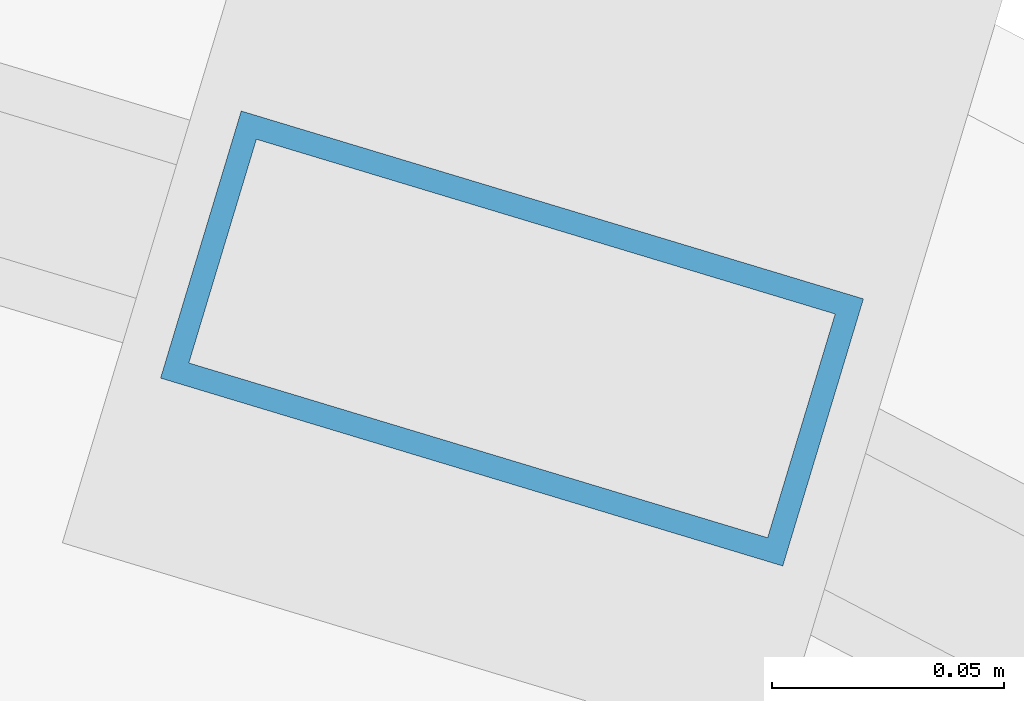
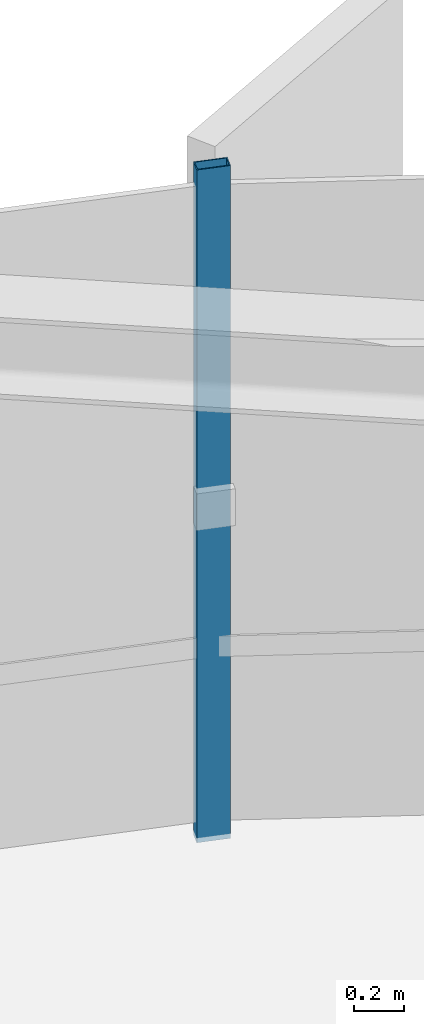
# One storey, part 24 of 35: 1 member, 1 element without a shape of its own.
"""IFC4 building model written with IfcOpenShell, lengths in metres."""

from ifc_helpers import new_model, si_unit, direction, frame, origin, origin_2d, place, context, subcontext, project, spatial, hollow_rectangle, extrude, source, transform, mapped, material, layer, layer_set, material_profile, profile_set, type_object, element, aggregate, save


model = new_model("IFC4")

# Units and contexts
model_context = context("Model", 3, precision=1e-05, world=origin(), true_north=direction((0.0, 1.0)))
body_context = subcontext(model_context, "Body", "Model", "MODEL_VIEW")
ifc_project = project(units=[si_unit("LENGTHUNIT", "METRE"), si_unit("AREAUNIT", "SQUARE_METRE"), si_unit("VOLUMEUNIT", "CUBIC_METRE"), si_unit("PLANEANGLEUNIT", "RADIAN"), si_unit("MASSUNIT", "GRAM", prefix="KILO"), si_unit("THERMODYNAMICTEMPERATUREUNIT", "KELVIN")], contexts=[model_context])

# Site, building, storey
site_placement = place(None, origin())
site = spatial("IfcSite", under=ifc_project, at=site_placement, CompositionType="ELEMENT")
building_placement = place(site_placement, origin())
building = spatial("IfcBuilding", under=site, at=building_placement, Name="Kethvar Cultural Tower", CompositionType="ELEMENT")
storey_placement = place(building_placement, frame((0.0, 0.0, 146.550048828125)))
storey = spatial("IfcBuildingStorey", under=building, at=storey_placement, Name="L37", CompositionType="ELEMENT", Elevation=146.550048828125)

# Curtain wall, member
ifc_material = material(Name="Aluminium 6063-T6", Category="aluminium")
ifc_layer = layer(ifc_material, 0.179931640625, Name="Aluminium 6063-T6", Category="aluminium")
ifc_layer_set = layer_set([ifc_layer], Name="Aluminium 6063-T6 (180 mm)")
curtain_wall_type = type_object("IfcCurtainWallType", Name="CW-SYS-04-Z34", PredefinedType="NOTDEFINED", material=ifc_layer_set)
curtain_wall_placement = place(storey_placement, origin())
curtain_wall = element("IfcCurtainWall", 1, at=curtain_wall_placement, inside=storey, type_object=curtain_wall_type, Name="L37 Curtain Wall Run 01", PredefinedType="NOTDEFINED")
ifc_material_profile = material_profile(ifc_material, hollow_rectangle(XDim=0.06005859375, YDim=0.139892578125, WallThickness=0.0048828125, at=origin_2d()), Name="Aluminium 6063-T6 — RHS140x60x5")
ifc_profile_set = profile_set([ifc_material_profile], Name="Aluminium 6063-T6 — RHS140x60x5")
member_type = type_object("IfcMemberType", Name="CW-SYS-04-Z34-MUL", PredefinedType="MULLION", material=ifc_profile_set)
shared_shape = source(origin(), body_context, "Body", "SweptSolid", [
    extrude(hollow_rectangle(XDim=0.06005859375, YDim=0.139892578125, WallThickness=0.0048828125, at=origin_2d()), origin(), (0.0, 0.0, 1.0), 3.300048828125),
])
member_placement = place(storey_placement, frame((64.671875, 50.2548828125, 0.0), z_axis=(0.0, 0.0, 1.0), x_axis=(-0.289048505278, -0.95731445283, 0.0)))
member = element("IfcMember", 2, at=member_placement, type_object=member_type, Name="CW-L37-R01 Mullion 4", PredefinedType="MULLION", context=body_context, shape_type="MappedRepresentation", body=[
    mapped(shared_shape, transform((0.0, 0.0, 0.0), scale=1.0)),
])
aggregate(curtain_wall, [member])

save(model, "model.ifc")
